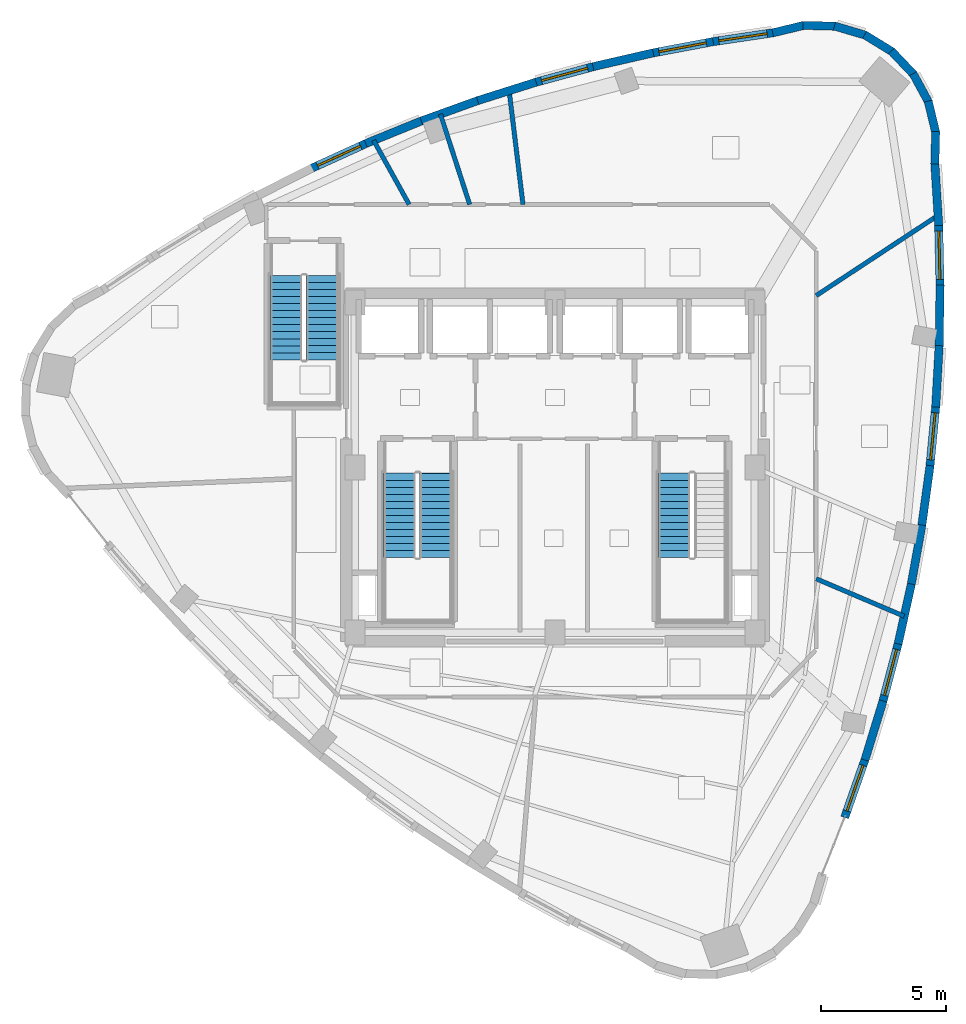
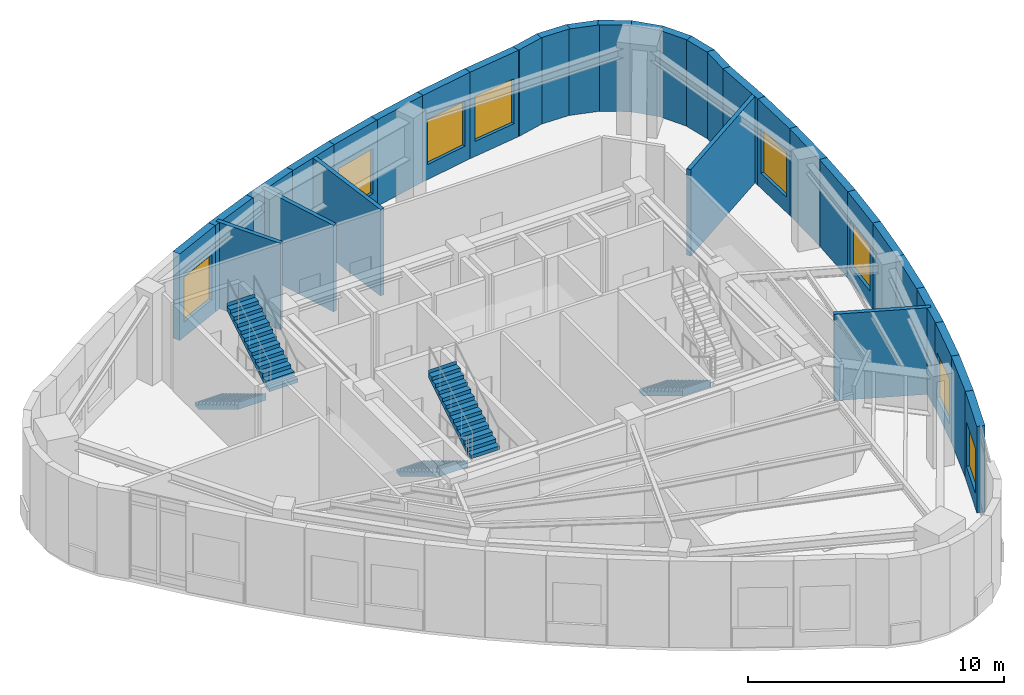
# One storey, part 10 of 14: 32 walls, 8 windows, 5 stair flights, 8 openings, 3 elements without a shape of their own.
"""IFC4 building model written with IfcOpenShell, lengths in metres."""

from ifc_helpers import new_model, si_unit, direction, frame, frame_2d, origin, place, context, subcontext, project, spatial, polyline, rectangle, outline, extrude, material, layer, layer_set, type_object, element, fill, aggregate, save


model = new_model("IFC4")

# Units and contexts
model_context = context("Model", 3, precision=1e-05, world=origin(), true_north=direction((0.0, 1.0)))
body_context = subcontext(model_context, "Body", "Model", "MODEL_VIEW")
ifc_project = project(units=[si_unit("LENGTHUNIT", "METRE"), si_unit("AREAUNIT", "SQUARE_METRE"), si_unit("VOLUMEUNIT", "CUBIC_METRE"), si_unit("PLANEANGLEUNIT", "RADIAN"), si_unit("MASSUNIT", "GRAM", prefix="KILO")], contexts=[model_context])

# Site, building, storey
site_placement = place(None, origin())
site = spatial("IfcSite", under=ifc_project, at=site_placement, CompositionType="ELEMENT")
building_placement = place(site_placement, origin())
building = spatial("IfcBuilding", under=site, at=building_placement, Name="Ndelora Gate Hotel", CompositionType="ELEMENT")
storey_placement = place(building_placement, frame((0.0, 0.0, 281.60009765625)))
storey = spatial("IfcBuildingStorey", under=building, at=storey_placement, Name="L70", CompositionType="ELEMENT", Elevation=281.60009765625)

# Walls
ifc_material_1 = material(Name="Acoustic Double-Stud Gypsum Assembly", Category="gypsum")
ifc_layer_1 = layer(ifc_material_1, 0.179931640625)
ifc_layer_set_1 = layer_set([ifc_layer_1], Name="Acoustic Double-Stud Gypsum Assembly")
wall_type_1 = type_object("IfcWallType", Name="WL-ACOUST-180", PredefinedType="PARTITIONING", material=ifc_layer_set_1)
wall_1_placement = place(storey_placement, frame((-5.831298828125, 10.52001953125, 0.0), z_axis=(0.0, 0.0, 1.0), x_axis=(-0.484857723274, 0.874593041466, 0.0)))
element("IfcWall", 1, at=wall_1_placement, inside=storey, type_object=wall_type_1, Name="L70 Interior Wall IW-3", PredefinedType="PARTITIONING", context=body_context, shape_type="SweptSolid", body=[
    extrude(rectangle(XDim=2.93115234375, YDim=0.179931640625, at=frame_2d((1.465576171875, 0.0))), origin(), (0.0, 0.0, 1.0), 4.1298828125),
])
wall_2_placement = place(storey_placement, frame((10.449951171875, -4.45068359375, 0.0), z_axis=(0.0, 0.0, 1.0), x_axis=(0.920037186276, -0.391831055264, 0.0)))
element("IfcWall", 2, at=wall_2_placement, inside=storey, type_object=wall_type_1, Name="L70 Interior Wall IW-3", PredefinedType="PARTITIONING", context=body_context, shape_type="SweptSolid", body=[
    extrude(rectangle(XDim=3.82568359375, YDim=0.179931640625, at=frame_2d((1.912841796875, 0.0))), origin(), (0.0, 0.0, 1.0), 4.1298828125),
])
wall_3_placement = place(storey_placement, frame((10.449951171875, 6.87646484375, 0.0), z_axis=(0.0, 0.0, 1.0), x_axis=(0.835369557095, 0.549688732902, 0.0)))
element("IfcWall", 3, at=wall_3_placement, inside=storey, type_object=wall_type_1, Name="L70 Interior Wall IW-3", PredefinedType="PARTITIONING", context=body_context, shape_type="SweptSolid", body=[
    extrude(rectangle(XDim=5.835205078125, YDim=0.179931640625, at=frame_2d((2.91748046875, 0.0))), origin(), (0.0, 0.0, 1.0), 4.1298828125),
])
wall_4_placement = place(storey_placement, frame((-1.27880859375, 10.52001953125, 0.0), z_axis=(0.0, 0.0, 1.0), x_axis=(-0.120673142417, 0.992692295074, 0.0)))
element("IfcWall", 4, at=wall_4_placement, inside=storey, type_object=wall_type_1, Name="L70 Interior Wall IW-3", PredefinedType="PARTITIONING", context=body_context, shape_type="SweptSolid", body=[
    extrude(rectangle(XDim=4.58642578125, YDim=0.179931640625, at=frame_2d((2.293212890625, 0.0))), origin(), (0.0, 0.0, 1.0), 4.1298828125),
])
wall_5_placement = place(storey_placement, frame((-3.4111328125, 10.52001953125, 0.0), z_axis=(0.0, 0.0, 1.0), x_axis=(-0.30845287095, 0.951239626174, 0.0)))
element("IfcWall", 5, at=wall_5_placement, inside=storey, type_object=wall_type_1, Name="L70 Interior Wall IW-3", PredefinedType="PARTITIONING", context=body_context, shape_type="SweptSolid", body=[
    extrude(rectangle(XDim=3.801513671875, YDim=0.179931640625, at=frame_2d((1.90087890625, 0.0))), origin(), (0.0, 0.0, 1.0), 4.1298828125),
])

# Wall, opening, window
ifc_material_2 = material(Name="Clay Brick Masonry", Category="masonry")
ifc_layer_2 = layer(ifc_material_2, 0.330078125)
ifc_layer_set_2 = layer_set([ifc_layer_2], Name="Clay Brick Masonry")
wall_type_2 = type_object("IfcWallType", Name="WL-BRICK-330", PredefinedType="SOLIDWALL", material=ifc_layer_set_2)
wall_6_placement = place(storey_placement, frame((12.41259765625, -11.6513671875, 0.0), z_axis=(0.0, 0.0, 1.0), x_axis=(-0.331176640599, -0.94356877477, 0.0)))
wall_6 = element("IfcWall", 6, at=wall_6_placement, inside=storey, type_object=wall_type_2, Name="L70 Tower Brick Pier-and-Spandrel Wall TWR-30", PredefinedType="SOLIDWALL", context=body_context, shape_type="SweptSolid", body=[
    extrude(rectangle(XDim=2.4873046875, YDim=0.330078125, at=frame_2d((1.24365234375, 0.0))), origin(), (0.0, 0.0, 1.0), 4.1298828125),
])
opening_1_placement = place(wall_6_placement, frame((0.278564453125, 0.0, 0.719970703125)))
opening_1 = element("IfcOpeningElement", 7, at=opening_1_placement, cuts=wall_6, Name="Opening W05", PredefinedType="OPENING", context=body_context, shape_type="SweptSolid", body=[
    extrude(rectangle(XDim=1.929931640625, YDim=2.14990234375, at=frame_2d((0.96484375, 1.074951171875))), frame((0.0, 0.175048828125, 0.0), z_axis=(0.0, -1.0, 0.0), x_axis=(1.0, 0.0, 0.0)), (0.0, 0.0, 1.0), 0.35009765625),
])
ifc_material_3 = material(Name="Insulated Low-E Double Glazing in Bronze Aluminium Frame", Category="aluminium")
window_type = type_object("IfcWindowType", Name="WN-SKY-2000", PartitioningType="SINGLE_PANEL", PredefinedType="WINDOW", material=ifc_material_3)
window_1_placement = place(opening_1_placement, origin())
window_1 = element("IfcWindow", 8, at=window_1_placement, inside=storey, type_object=window_type, Name="L70 Deep-Set Brick-Pier Window W05", OverallHeight=2.14990234375, OverallWidth=1.929931640625, PartitioningType="SINGLE_PANEL", PredefinedType="WINDOW", context=body_context, shape_type="SweptSolid", body=[
    extrude(rectangle(XDim=1.929931640625, YDim=2.14990234375, at=frame_2d((0.96484375, 1.074951171875))), frame((0.0, 0.030029296875, 0.0), z_axis=(0.0, -1.0, 0.0), x_axis=(1.0, 0.0, 0.0)), (0.0, 0.0, 1.0), 0.06005859375),
])
fill(opening_1, window_1)

# Wall
wall_7_placement = place(storey_placement, frame((13.122802734375, -9.336181640625, 0.0), z_axis=(0.0, 0.0, 1.0), x_axis=(-0.293558293962, -0.955941173946, 0.0)))
element("IfcWall", 9, at=wall_7_placement, inside=storey, type_object=wall_type_2, Name="L70 Tower Brick Pier-and-Spandrel Wall TWR-31", PredefinedType="SOLIDWALL", context=body_context, shape_type="SweptSolid", body=[
    extrude(rectangle(XDim=2.4716796875, YDim=0.330078125, at=frame_2d((1.23583984375, 0.0))), origin(), (0.0, 0.0, 1.0), 4.1298828125),
])

# Wall, opening, window
wall_8_placement = place(storey_placement, frame((13.737060546875, -7.005615234375, 0.0), z_axis=(0.0, 0.0, 1.0), x_axis=(-0.255240594745, -0.966877571771, 0.0)))
wall_8 = element("IfcWall", 10, at=wall_8_placement, inside=storey, type_object=wall_type_2, Name="L70 Tower Brick Pier-and-Spandrel Wall TWR-32", PredefinedType="SOLIDWALL", context=body_context, shape_type="SweptSolid", body=[
    extrude(rectangle(XDim=2.460205078125, YDim=0.330078125, at=frame_2d((1.22998046875, 0.0))), origin(), (0.0, 0.0, 1.0), 4.1298828125),
])
opening_2_placement = place(wall_8_placement, frame((0.280029296875, 0.0, 0.719970703125)))
opening_2 = element("IfcOpeningElement", 11, at=opening_2_placement, cuts=wall_8, Name="Opening W05", PredefinedType="OPENING", context=body_context, shape_type="SweptSolid", body=[
    extrude(rectangle(XDim=1.89990234375, YDim=2.14990234375, at=frame_2d((0.949951171875, 1.074951171875))), frame((0.0, 0.175048828125, 0.0), z_axis=(0.0, -1.0, 0.0), x_axis=(1.0, 0.0, 0.0)), (0.0, 0.0, 1.0), 0.35009765625),
])
window_2_placement = place(opening_2_placement, origin())
window_2 = element("IfcWindow", 12, at=window_2_placement, inside=storey, type_object=window_type, Name="L70 Deep-Set Brick-Pier Window W05", OverallHeight=2.14990234375, OverallWidth=1.89990234375, PartitioningType="SINGLE_PANEL", PredefinedType="WINDOW", context=body_context, shape_type="SweptSolid", body=[
    extrude(rectangle(XDim=1.89990234375, YDim=2.14990234375, at=frame_2d((0.949951171875, 1.074951171875))), frame((0.0, 0.030029296875, 0.0), z_axis=(0.0, -1.0, 0.0), x_axis=(1.0, 0.0, 0.0)), (0.0, 0.0, 1.0), 0.06005859375),
])
fill(opening_2, window_2)

# Walls
wall_9_placement = place(storey_placement, frame((14.25537109375, -4.66015625, 0.0), z_axis=(0.0, 0.0, 1.0), x_axis=(-0.216160793087, -0.976357778446, 0.0)))
element("IfcWall", 13, at=wall_9_placement, inside=storey, type_object=wall_type_2, Name="L70 Tower Brick Pier-and-Spandrel Wall TWR-33", PredefinedType="SOLIDWALL", context=body_context, shape_type="SweptSolid", body=[
    extrude(rectangle(XDim=2.451904296875, YDim=0.330078125, at=frame_2d((1.22607421875, 0.0))), origin(), (0.0, 0.0, 1.0), 4.1298828125),
])
wall_10_placement = place(storey_placement, frame((14.677490234375, -2.29931640625, 0.0), z_axis=(0.0, 0.0, 1.0), x_axis=(-0.176418802695, -0.984315196497, 0.0)))
element("IfcWall", 14, at=wall_10_placement, inside=storey, type_object=wall_type_2, Name="L70 Tower Brick Pier-and-Spandrel Wall TWR-34", PredefinedType="SOLIDWALL", context=body_context, shape_type="SweptSolid", body=[
    extrude(rectangle(XDim=2.447998046875, YDim=0.330078125, at=frame_2d((1.22412109375, 0.0))), origin(), (0.0, 0.0, 1.0), 4.1298828125),
])
wall_11_placement = place(storey_placement, frame((15.00341796875, 0.07666015625, 0.0), z_axis=(0.0, 0.0, 1.0), x_axis=(-0.136310087879, -0.990666220249, 0.0)))
element("IfcWall", 15, at=wall_11_placement, inside=storey, type_object=wall_type_2, Name="L70 Tower Brick Pier-and-Spandrel Wall TWR-35", PredefinedType="SOLIDWALL", context=body_context, shape_type="SweptSolid", body=[
    extrude(rectangle(XDim=2.448486328125, YDim=0.330078125, at=frame_2d((1.22412109375, 0.0))), origin(), (0.0, 0.0, 1.0), 4.1298828125),
])

# Wall, opening, window
wall_12_placement = place(storey_placement, frame((15.2333984375, 2.4677734375, 0.0), z_axis=(0.0, 0.0, 1.0), x_axis=(-0.096171472172, -0.995364781344, 0.0)))
wall_12 = element("IfcWall", 16, at=wall_12_placement, inside=storey, type_object=wall_type_2, Name="L70 Tower Brick Pier-and-Spandrel Wall TWR-36", PredefinedType="SOLIDWALL", context=body_context, shape_type="SweptSolid", body=[
    extrude(rectangle(XDim=2.452392578125, YDim=0.330078125, at=frame_2d((1.22607421875, 0.0))), origin(), (0.0, 0.0, 1.0), 4.1298828125),
])
opening_3_placement = place(wall_12_placement, frame((0.281005859375, 0.0, 0.719970703125)))
opening_3 = element("IfcOpeningElement", 17, at=opening_3_placement, cuts=wall_12, Name="Opening W05", PredefinedType="OPENING", context=body_context, shape_type="SweptSolid", body=[
    extrude(rectangle(XDim=1.889892578125, YDim=2.14990234375, at=frame_2d((0.94482421875, 1.074951171875))), frame((0.0, 0.175048828125, 0.0), z_axis=(0.0, -1.0, 0.0), x_axis=(1.0, 0.0, 0.0)), (0.0, 0.0, 1.0), 0.35009765625),
])
window_3_placement = place(opening_3_placement, origin())
window_3 = element("IfcWindow", 18, at=window_3_placement, inside=storey, type_object=window_type, Name="L70 Deep-Set Brick-Pier Window W05", OverallHeight=2.14990234375, OverallWidth=1.889892578125, PartitioningType="SINGLE_PANEL", PredefinedType="WINDOW", context=body_context, shape_type="SweptSolid", body=[
    extrude(rectangle(XDim=1.889892578125, YDim=2.14990234375, at=frame_2d((0.94482421875, 1.074951171875))), frame((0.0, 0.030029296875, 0.0), z_axis=(0.0, -1.0, 0.0), x_axis=(1.0, 0.0, 0.0)), (0.0, 0.0, 1.0), 0.06005859375),
])
fill(opening_3, window_3)

# Walls
wall_13_placement = place(storey_placement, frame((15.367431640625, 4.8740234375, 0.0), z_axis=(0.0, 0.0, 1.0), x_axis=(-0.055970171644, -0.998432441323, 0.0)))
element("IfcWall", 19, at=wall_13_placement, inside=storey, type_object=wall_type_2, Name="L70 Tower Brick Pier-and-Spandrel Wall TWR-37", PredefinedType="SOLIDWALL", context=body_context, shape_type="SweptSolid", body=[
    extrude(rectangle(XDim=2.460205078125, YDim=0.330078125, at=frame_2d((1.22998046875, 0.0))), origin(), (0.0, 0.0, 1.0), 4.1298828125),
])
wall_14_placement = place(storey_placement, frame((15.405517578125, 7.29541015625, 0.0), z_axis=(0.0, 0.0, 1.0), x_axis=(-0.016099859072, -0.999870388869, 0.0)))
element("IfcWall", 20, at=wall_14_placement, inside=storey, type_object=wall_type_2, Name="L70 Tower Brick Pier-and-Spandrel Wall TWR-38", PredefinedType="SOLIDWALL", context=body_context, shape_type="SweptSolid", body=[
    extrude(rectangle(XDim=2.4716796875, YDim=0.330078125, at=frame_2d((1.23583984375, 0.0))), origin(), (0.0, 0.0, 1.0), 4.1298828125),
])

# Wall, opening, window
wall_15_placement = place(storey_placement, frame((15.347412109375, 9.73193359375, 0.0), z_axis=(0.0, 0.0, 1.0), x_axis=(0.023459423149, -0.999724789862, 0.0)))
wall_15 = element("IfcWall", 21, at=wall_15_placement, inside=storey, type_object=wall_type_2, Name="L70 Tower Brick Pier-and-Spandrel Wall TWR-39", PredefinedType="SOLIDWALL", context=body_context, shape_type="SweptSolid", body=[
    extrude(rectangle(XDim=2.4873046875, YDim=0.330078125, at=frame_2d((1.24365234375, 0.0))), origin(), (0.0, 0.0, 1.0), 4.1298828125),
])
opening_4_placement = place(wall_15_placement, frame((0.278564453125, 0.0, 0.719970703125)))
opening_4 = element("IfcOpeningElement", 22, at=opening_4_placement, cuts=wall_15, Name="Opening W05", PredefinedType="OPENING", context=body_context, shape_type="SweptSolid", body=[
    extrude(rectangle(XDim=1.929931640625, YDim=2.14990234375, at=frame_2d((0.96484375, 1.074951171875))), frame((0.0, 0.175048828125, 0.0), z_axis=(0.0, -1.0, 0.0), x_axis=(1.0, 0.0, 0.0)), (0.0, 0.0, 1.0), 0.35009765625),
])
window_4_placement = place(opening_4_placement, origin())
window_4 = element("IfcWindow", 23, at=window_4_placement, inside=storey, type_object=window_type, Name="L70 Deep-Set Brick-Pier Window W05", OverallHeight=2.14990234375, OverallWidth=1.929931640625, PartitioningType="SINGLE_PANEL", PredefinedType="WINDOW", context=body_context, shape_type="SweptSolid", body=[
    extrude(rectangle(XDim=1.929931640625, YDim=2.14990234375, at=frame_2d((0.96484375, 1.074951171875))), frame((0.0, 0.030029296875, 0.0), z_axis=(0.0, -1.0, 0.0), x_axis=(1.0, 0.0, 0.0)), (0.0, 0.0, 1.0), 0.06005859375),
])
fill(opening_4, window_4)

# Walls
wall_16_placement = place(storey_placement, frame((15.193359375, 12.183837890625, 0.0), z_axis=(0.0, 0.0, 1.0), x_axis=(0.062329780416, -0.998055608908, 0.0)))
element("IfcWall", 24, at=wall_16_placement, inside=storey, type_object=wall_type_2, Name="L70 Tower Brick Pier-and-Spandrel Wall TWR-40", PredefinedType="SOLIDWALL", context=body_context, shape_type="SweptSolid", body=[
    extrude(rectangle(XDim=2.5068359375, YDim=0.330078125, at=frame_2d((1.25341796875, 0.0))), origin(), (0.0, 0.0, 1.0), 4.1298828125),
])
wall_17_placement = place(storey_placement, frame((15.228515625, 13.4365234375, 0.0), z_axis=(0.0, 0.0, 1.0), x_axis=(-0.026227855826, -0.999655990618, 0.0)))
element("IfcWall", 25, at=wall_17_placement, inside=storey, type_object=wall_type_2, Name="L70 Tower Brick Pier-and-Spandrel Wall TWR-41", PredefinedType="SOLIDWALL", context=body_context, shape_type="SweptSolid", body=[
    extrude(rectangle(XDim=1.30322265625, YDim=0.330078125, at=frame_2d((0.651611328125, 0.0))), origin(), (0.0, 0.0, 1.0), 4.1298828125),
])
wall_18_placement = place(storey_placement, frame((14.929443359375, 14.654296875, 0.0), z_axis=(0.0, 0.0, 1.0), x_axis=(0.233443812137, -0.972370292931, 0.0)))
element("IfcWall", 26, at=wall_18_placement, inside=storey, type_object=wall_type_2, Name="L70 Tower Brick Pier-and-Spandrel Wall TWR-42", PredefinedType="SOLIDWALL", context=body_context, shape_type="SweptSolid", body=[
    extrude(rectangle(XDim=1.302978515625, YDim=0.330078125, at=frame_2d((0.6513671875, 0.0))), origin(), (0.0, 0.0, 1.0), 4.1298828125),
])
for number, where, z_axis, x_axis, name in (
    (27, (14.325439453125, 15.753173828125, 0.0), (0.0, 0.0, 1.0), (0.477158009766, -0.878817520146, 0.0), "L70 Tower Brick Pier-and-Spandrel Wall TWR-43"),
    (28, (13.45751953125, 16.658203125, 0.0), (0.0, 0.0, 1.0), (0.688316050819, -0.725410927809, 0.0), "L70 Tower Brick Pier-and-Spandrel Wall TWR-44"),
    (29, (12.385009765625, 17.307861328125, 0.0), (0.0, 0.0, 1.0), (0.852628177474, -0.522518125022, 0.0), "L70 Tower Brick Pier-and-Spandrel Wall TWR-45"),
    (30, (11.180908203125, 17.65771484375, 0.0), (0.0, 0.0, 1.0), (0.958820789243, -0.284011785169, 0.0), "L70 Tower Brick Pier-and-Spandrel Wall TWR-46"),
    (31, (9.92724609375, 17.68408203125, 0.0), (0.0, 0.0, 1.0), (0.999655990618, -0.026227855826, 0.0), "L70 Tower Brick Pier-and-Spandrel Wall TWR-47"),
):
    element("IfcWall", number, at=place(storey_placement, frame(where, z_axis=z_axis, x_axis=x_axis)), inside=storey, type_object=wall_type_2, Name=name, PredefinedType="SOLIDWALL", context=body_context, shape_type="SweptSolid", body=[
        extrude(rectangle(XDim=1.30322265625, YDim=0.330078125, at=frame_2d((0.651611328125, 0.0))), origin(), (0.0, 0.0, 1.0), 4.1298828125),
    ])
wall_19_placement = place(storey_placement, frame((8.709716796875, 17.385009765625, 0.0), z_axis=(0.0, 0.0, 1.0), x_axis=(0.972360080062, 0.233486347997, 0.0)))
element("IfcWall", 32, at=wall_19_placement, inside=storey, type_object=wall_type_2, Name="L70 Tower Brick Pier-and-Spandrel Wall TWR-48", PredefinedType="SOLIDWALL", context=body_context, shape_type="SweptSolid", body=[
    extrude(rectangle(XDim=1.302978515625, YDim=0.330078125, at=frame_2d((0.6513671875, 0.0))), origin(), (0.0, 0.0, 1.0), 4.1298828125),
])

# Wall, opening, window
wall_20_placement = place(storey_placement, frame((6.279296875, 17.027099609375, 0.0), z_axis=(0.0, 0.0, 1.0), x_axis=(0.989195615859, 0.146601615152, 0.0)))
wall_20 = element("IfcWall", 33, at=wall_20_placement, inside=storey, type_object=wall_type_2, Name="L70 Tower Brick Pier-and-Spandrel Wall TWR-49", PredefinedType="SOLIDWALL", context=body_context, shape_type="SweptSolid", body=[
    extrude(rectangle(XDim=2.50634765625, YDim=0.330078125, at=frame_2d((1.253173828125, 0.0))), origin(), (0.0, 0.0, 1.0), 4.1298828125),
])
opening_5_placement = place(wall_20_placement, frame((0.2783203125, 0.0, 0.719970703125)))
opening_5 = element("IfcOpeningElement", 34, at=opening_5_placement, cuts=wall_20, Name="Opening W05", PredefinedType="OPENING", context=body_context, shape_type="SweptSolid", body=[
    extrude(rectangle(XDim=1.949951171875, YDim=2.14990234375, at=frame_2d((0.97509765625, 1.074951171875))), frame((0.0, 0.175048828125, 0.0), z_axis=(0.0, -1.0, 0.0), x_axis=(1.0, 0.0, 0.0)), (0.0, 0.0, 1.0), 0.35009765625),
])
window_5_placement = place(opening_5_placement, origin())
window_5 = element("IfcWindow", 35, at=window_5_placement, inside=storey, type_object=window_type, Name="L70 Deep-Set Brick-Pier Window W05", OverallHeight=2.14990234375, OverallWidth=1.949951171875, PartitioningType="SINGLE_PANEL", PredefinedType="WINDOW", context=body_context, shape_type="SweptSolid", body=[
    extrude(rectangle(XDim=1.949951171875, YDim=2.14990234375, at=frame_2d((0.97509765625, 1.074951171875))), frame((0.0, 0.030029296875, 0.0), z_axis=(0.0, -1.0, 0.0), x_axis=(1.0, 0.0, 0.0)), (0.0, 0.0, 1.0), 0.06005859375),
])
fill(opening_5, window_5)

wall_21_placement = place(storey_placement, frame((3.884033203125, 16.575439453125, 0.0), z_axis=(0.0, 0.0, 1.0), x_axis=(0.982755323562, 0.184910719024, 0.0)))
wall_21 = element("IfcWall", 36, at=wall_21_placement, inside=storey, type_object=wall_type_2, Name="L70 Tower Brick Pier-and-Spandrel Wall TWR-50", PredefinedType="SOLIDWALL", context=body_context, shape_type="SweptSolid", body=[
    extrude(rectangle(XDim=2.487548828125, YDim=0.330078125, at=frame_2d((1.24365234375, 0.0))), origin(), (0.0, 0.0, 1.0), 4.1298828125),
])
opening_6_placement = place(wall_21_placement, frame((0.27880859375, 0.0, 0.719970703125)))
opening_6 = element("IfcOpeningElement", 37, at=opening_6_placement, cuts=wall_21, Name="Opening W05", PredefinedType="OPENING", context=body_context, shape_type="SweptSolid", body=[
    extrude(rectangle(XDim=1.929931640625, YDim=2.14990234375, at=frame_2d((0.96484375, 1.074951171875))), frame((0.0, 0.175048828125, 0.0), z_axis=(0.0, -1.0, 0.0), x_axis=(1.0, 0.0, 0.0)), (0.0, 0.0, 1.0), 0.35009765625),
])
window_6_placement = place(opening_6_placement, origin())
window_6 = element("IfcWindow", 38, at=window_6_placement, inside=storey, type_object=window_type, Name="L70 Deep-Set Brick-Pier Window W05", OverallHeight=2.14990234375, OverallWidth=1.929931640625, PartitioningType="SINGLE_PANEL", PredefinedType="WINDOW", context=body_context, shape_type="SweptSolid", body=[
    extrude(rectangle(XDim=1.929931640625, YDim=2.14990234375, at=frame_2d((0.96484375, 1.074951171875))), frame((0.0, 0.030029296875, 0.0), z_axis=(0.0, -1.0, 0.0), x_axis=(1.0, 0.0, 0.0)), (0.0, 0.0, 1.0), 0.06005859375),
])
fill(opening_6, window_6)

# Wall
wall_22_placement = place(storey_placement, frame((1.523681640625, 16.032958984375, 0.0), z_axis=(0.0, 0.0, 1.0), x_axis=(0.974681670362, 0.223597051545, 0.0)))
element("IfcWall", 39, at=wall_22_placement, inside=storey, type_object=wall_type_2, Name="L70 Tower Brick Pier-and-Spandrel Wall TWR-51", PredefinedType="SOLIDWALL", context=body_context, shape_type="SweptSolid", body=[
    extrude(rectangle(XDim=2.471923828125, YDim=0.330078125, at=frame_2d((1.23583984375, 0.0))), origin(), (0.0, 0.0, 1.0), 4.1298828125),
])

# Wall, opening, window
wall_23_placement = place(storey_placement, frame((-0.801513671875, 15.3994140625, 0.0), z_axis=(0.0, 0.0, 1.0), x_axis=(0.964933096461, 0.262495941596, 0.0)))
wall_23 = element("IfcWall", 40, at=wall_23_placement, inside=storey, type_object=wall_type_2, Name="L70 Tower Brick Pier-and-Spandrel Wall TWR-52", PredefinedType="SOLIDWALL", context=body_context, shape_type="SweptSolid", body=[
    extrude(rectangle(XDim=2.4599609375, YDim=0.330078125, at=frame_2d((1.22998046875, 0.0))), origin(), (0.0, 0.0, 1.0), 4.1298828125),
])
opening_7_placement = place(wall_23_placement, frame((0.280029296875, 0.0, 0.719970703125)))
opening_7 = element("IfcOpeningElement", 41, at=opening_7_placement, cuts=wall_23, Name="Opening W05", PredefinedType="OPENING", context=body_context, shape_type="SweptSolid", body=[
    extrude(rectangle(XDim=1.89990234375, YDim=2.14990234375, at=frame_2d((0.949951171875, 1.074951171875))), frame((0.0, 0.175048828125, 0.0), z_axis=(0.0, -1.0, 0.0), x_axis=(1.0, 0.0, 0.0)), (0.0, 0.0, 1.0), 0.35009765625),
])
window_7_placement = place(opening_7_placement, origin())
window_7 = element("IfcWindow", 42, at=window_7_placement, inside=storey, type_object=window_type, Name="L70 Deep-Set Brick-Pier Window W05", OverallHeight=2.14990234375, OverallWidth=1.89990234375, PartitioningType="SINGLE_PANEL", PredefinedType="WINDOW", context=body_context, shape_type="SweptSolid", body=[
    extrude(rectangle(XDim=1.89990234375, YDim=2.14990234375, at=frame_2d((0.949951171875, 1.074951171875))), frame((0.0, 0.030029296875, 0.0), z_axis=(0.0, -1.0, 0.0), x_axis=(1.0, 0.0, 0.0)), (0.0, 0.0, 1.0), 0.06005859375),
])
fill(opening_7, window_7)

# Walls
wall_24_placement = place(storey_placement, frame((-3.091796875, 14.675537109375, 0.0), z_axis=(0.0, 0.0, 1.0), x_axis=(0.953629301066, 0.300983647643, 0.0)))
element("IfcWall", 43, at=wall_24_placement, inside=storey, type_object=wall_type_2, Name="L70 Tower Brick Pier-and-Spandrel Wall TWR-53", PredefinedType="SOLIDWALL", context=body_context, shape_type="SweptSolid", body=[
    extrude(rectangle(XDim=2.4521484375, YDim=0.330078125, at=frame_2d((1.22607421875, 0.0))), origin(), (0.0, 0.0, 1.0), 4.1298828125),
])
for number, where, z_axis, x_axis, name in (
    (44, (-5.347412109375, 13.860595703125, 0.0), (0.0, 0.0, 1.0), (0.940660924574, 0.33934794088, 0.0), "L70 Tower Brick Pier-and-Spandrel Wall TWR-54"),
    (45, (-7.568115234375, 12.955078125, 0.0), (0.0, 0.0, 1.0), (0.926147843888, 0.377160670355, 0.0), "L70 Tower Brick Pier-and-Spandrel Wall TWR-55"),
):
    element("IfcWall", number, at=place(storey_placement, frame(where, z_axis=z_axis, x_axis=x_axis)), inside=storey, type_object=wall_type_2, Name=name, PredefinedType="SOLIDWALL", context=body_context, shape_type="SweptSolid", body=[
        extrude(rectangle(XDim=2.4482421875, YDim=0.330078125, at=frame_2d((1.22412109375, 0.0))), origin(), (0.0, 0.0, 1.0), 4.1298828125),
    ])

# Wall, opening, window
wall_25_placement = place(storey_placement, frame((-9.75390625, 11.958740234375, 0.0), z_axis=(0.0, 0.0, 1.0), x_axis=(0.910103748432, 0.414380461763, 0.0)))
wall_25 = element("IfcWall", 46, at=wall_25_placement, inside=storey, type_object=wall_type_2, Name="L70 Tower Brick Pier-and-Spandrel Wall TWR-56", PredefinedType="SOLIDWALL", context=body_context, shape_type="SweptSolid", body=[
    extrude(rectangle(XDim=2.4521484375, YDim=0.330078125, at=frame_2d((1.22607421875, 0.0))), origin(), (0.0, 0.0, 1.0), 4.1298828125),
])
opening_8_placement = place(wall_25_placement, frame((0.281005859375, 0.0, 0.719970703125)))
opening_8 = element("IfcOpeningElement", 47, at=opening_8_placement, cuts=wall_25, Name="Opening W05", PredefinedType="OPENING", context=body_context, shape_type="SweptSolid", body=[
    extrude(rectangle(XDim=1.889892578125, YDim=2.14990234375, at=frame_2d((0.94482421875, 1.074951171875))), frame((0.0, 0.175048828125, 0.0), z_axis=(0.0, -1.0, 0.0), x_axis=(1.0, 0.0, 0.0)), (0.0, 0.0, 1.0), 0.35009765625),
])
window_8_placement = place(opening_8_placement, origin())
window_8 = element("IfcWindow", 48, at=window_8_placement, inside=storey, type_object=window_type, Name="L70 Deep-Set Brick-Pier Window W05", OverallHeight=2.14990234375, OverallWidth=1.889892578125, PartitioningType="SINGLE_PANEL", PredefinedType="WINDOW", context=body_context, shape_type="SweptSolid", body=[
    extrude(rectangle(XDim=1.889892578125, YDim=2.14990234375, at=frame_2d((0.94482421875, 1.074951171875))), frame((0.0, 0.030029296875, 0.0), z_axis=(0.0, -1.0, 0.0), x_axis=(1.0, 0.0, 0.0)), (0.0, 0.0, 1.0), 0.06005859375),
])
fill(opening_8, window_8)

# Stair, stair flights
ifc_material_4 = material(Name="Precast concrete C40/50", Category="concrete")
stair_type = type_object("IfcStairType", Name="STR-DOG-CORE", PredefinedType="HALF_TURN_STAIR", material=ifc_material_4)
stair_1_placement = place(storey_placement, origin())
stair_1 = element("IfcStair", 49, at=stair_1_placement, inside=storey, type_object=stair_type, Name="L70 Protected Core Exit Stair ST4", PredefinedType="HALF_TURN_STAIR")
stair_flight_type = type_object("IfcStairFlightType", Name="STF-PRECAST", PredefinedType="STRAIGHT", material=ifc_material_4)
stair_flight_1_placement = place(storey_placement, frame((-6.2099609375, -0.22998046875, 0.0), z_axis=(0.0, 0.0, 1.0), x_axis=(0.0, -1.0, 0.0)))
stair_flight_1 = element("IfcStairFlight", 50, at=stair_flight_1_placement, type_object=stair_flight_type, Name="ST4 flight 1", NumberOfRisers=13, NumberOfTreads=12, PredefinedType="STRAIGHT", RiserHeight=0.169230769, TreadLength=0.28, context=body_context, shape_type="SweptSolid", body=[
    extrude(outline(polyline([(-0.00048828125, 0.0), (-0.00048828125, 0.169189453125), (0.0, 0.169189453125), (0.280029296875, 0.169189453125), (0.280029296875, 0.33837890625), (0.56005859375, 0.33837890625), (0.56005859375, 0.5078125), (0.840087890625, 0.5078125), (0.840087890625, 0.677001953125), (1.1201171875, 0.677001953125), (1.1201171875, 0.84619140625), (1.39990234375, 0.84619140625), (1.39990234375, 1.015380859375), (1.679931640625, 1.015380859375), (1.679931640625, 1.1845703125), (1.9599609375, 1.1845703125), (1.9599609375, 1.353759765625), (2.239990234375, 1.353759765625), (2.239990234375, 1.523193359375), (2.52001953125, 1.523193359375), (2.52001953125, 1.6923828125), (2.800048828125, 1.6923828125), (2.800048828125, 1.861572265625), (3.080078125, 1.861572265625), (3.080078125, 2.03076171875), (3.360107421875, 2.03076171875), (3.360107421875, 2.199951171875), (3.360595703125, 2.199951171875), (3.360595703125, 2.02001953125), (3.360107421875, 1.855712890625), (0.289794921875, 0.0), (-0.00048828125, 0.0)])), frame((0.0, 0.64013671875, 0.0), z_axis=(0.0, -1.0, 0.0), x_axis=(1.0, 0.0, 0.0)), (0.0, 0.0, 1.0), 1.280029296875),
])
stair_flight_2_placement = place(storey_placement, frame((-4.77001953125, -3.590087890625, 2.199951171875), z_axis=(0.0, 0.0, 1.0), x_axis=(0.0, 1.0, 0.0)))
stair_flight_2 = element("IfcStairFlight", 51, at=stair_flight_2_placement, type_object=stair_flight_type, Name="ST4 flight 2", NumberOfRisers=13, NumberOfTreads=12, PredefinedType="STRAIGHT", RiserHeight=0.169230769, TreadLength=0.28, context=body_context, shape_type="SweptSolid", body=[
    extrude(outline(polyline([(-0.00048828125, 0.0), (-0.00048828125, 0.169189453125), (0.0, 0.169189453125), (0.280029296875, 0.169189453125), (0.280029296875, 0.33837890625), (0.56005859375, 0.33837890625), (0.56005859375, 0.5078125), (0.840087890625, 0.5078125), (0.840087890625, 0.677001953125), (1.1201171875, 0.677001953125), (1.1201171875, 0.84619140625), (1.39990234375, 0.84619140625), (1.39990234375, 1.015380859375), (1.679931640625, 1.015380859375), (1.679931640625, 1.1845703125), (1.9599609375, 1.1845703125), (1.9599609375, 1.353759765625), (2.239990234375, 1.353759765625), (2.239990234375, 1.523193359375), (2.52001953125, 1.523193359375), (2.52001953125, 1.6923828125), (2.800048828125, 1.6923828125), (2.800048828125, 1.861572265625), (3.080078125, 1.861572265625), (3.080078125, 2.03076171875), (3.360107421875, 2.03076171875), (3.360107421875, 2.199951171875), (3.360595703125, 2.199951171875), (3.360595703125, 2.02001953125), (3.360107421875, 1.855712890625), (0.289794921875, 0.0), (-0.00048828125, 0.0)])), frame((0.0, 0.64013671875, 0.0), z_axis=(0.0, -1.0, 0.0), x_axis=(1.0, 0.0, 0.0)), (0.0, 0.0, 1.0), 1.280029296875),
])
aggregate(stair_1, [stair_flight_1, stair_flight_2])

# Stair, stair flight
stair_2_placement = place(storey_placement, origin())
stair_2 = element("IfcStair", 52, at=stair_2_placement, inside=storey, type_object=stair_type, Name="L70 Protected Core Exit Stair ST5", PredefinedType="HALF_TURN_STAIR")
stair_flight_3_placement = place(storey_placement, frame((4.77001953125, -0.22998046875, 0.0), z_axis=(0.0, 0.0, 1.0), x_axis=(0.0, -1.0, 0.0)))
stair_flight_3 = element("IfcStairFlight", 53, at=stair_flight_3_placement, type_object=stair_flight_type, Name="ST5 flight 1", NumberOfRisers=13, NumberOfTreads=12, PredefinedType="STRAIGHT", RiserHeight=0.169230769, TreadLength=0.28, context=body_context, shape_type="SweptSolid", body=[
    extrude(outline(polyline([(-0.00048828125, 0.0), (-0.00048828125, 0.169189453125), (0.0, 0.169189453125), (0.280029296875, 0.169189453125), (0.280029296875, 0.33837890625), (0.56005859375, 0.33837890625), (0.56005859375, 0.5078125), (0.840087890625, 0.5078125), (0.840087890625, 0.677001953125), (1.1201171875, 0.677001953125), (1.1201171875, 0.84619140625), (1.39990234375, 0.84619140625), (1.39990234375, 1.015380859375), (1.679931640625, 1.015380859375), (1.679931640625, 1.1845703125), (1.9599609375, 1.1845703125), (1.9599609375, 1.353759765625), (2.239990234375, 1.353759765625), (2.239990234375, 1.523193359375), (2.52001953125, 1.523193359375), (2.52001953125, 1.6923828125), (2.800048828125, 1.6923828125), (2.800048828125, 1.861572265625), (3.080078125, 1.861572265625), (3.080078125, 2.03076171875), (3.360107421875, 2.03076171875), (3.360107421875, 2.199951171875), (3.360595703125, 2.199951171875), (3.360595703125, 2.02001953125), (3.360107421875, 1.855712890625), (0.289794921875, 0.0), (-0.00048828125, 0.0)])), frame((0.0, 0.64013671875, 0.0), z_axis=(0.0, -1.0, 0.0), x_axis=(1.0, 0.0, 0.0)), (0.0, 0.0, 1.0), 1.280029296875),
])
aggregate(stair_2, [stair_flight_3])

# Stair, stair flights
stair_3_placement = place(storey_placement, origin())
stair_3 = element("IfcStair", 54, at=stair_3_placement, inside=storey, type_object=stair_type, Name="L70 Crown Observation Exit Stair ST6", PredefinedType="HALF_TURN_STAIR")
stair_flight_4_placement = place(storey_placement, frame((-10.75, 7.669921875, 0.0), z_axis=(0.0, 0.0, 1.0), x_axis=(0.0, -1.0, 0.0)))
stair_flight_4 = element("IfcStairFlight", 55, at=stair_flight_4_placement, type_object=stair_flight_type, Name="ST6 flight 1", NumberOfRisers=13, NumberOfTreads=12, PredefinedType="STRAIGHT", RiserHeight=0.169230769, TreadLength=0.28, context=body_context, shape_type="SweptSolid", body=[
    extrude(outline(polyline([(-0.00048828125, 0.0), (-0.00048828125, 0.169189453125), (0.0, 0.169189453125), (0.280029296875, 0.169189453125), (0.280029296875, 0.33837890625), (0.56005859375, 0.33837890625), (0.56005859375, 0.5078125), (0.840087890625, 0.5078125), (0.840087890625, 0.677001953125), (1.1201171875, 0.677001953125), (1.1201171875, 0.84619140625), (1.39990234375, 0.84619140625), (1.39990234375, 1.015380859375), (1.679931640625, 1.015380859375), (1.679931640625, 1.1845703125), (1.9599609375, 1.1845703125), (1.9599609375, 1.353759765625), (2.239990234375, 1.353759765625), (2.239990234375, 1.523193359375), (2.52001953125, 1.523193359375), (2.52001953125, 1.6923828125), (2.800048828125, 1.6923828125), (2.800048828125, 1.861572265625), (3.080078125, 1.861572265625), (3.080078125, 2.03076171875), (3.360107421875, 2.03076171875), (3.360107421875, 2.199951171875), (3.360595703125, 2.199951171875), (3.360595703125, 2.02001953125), (3.360107421875, 1.855712890625), (0.289794921875, 0.0), (-0.00048828125, 0.0)])), frame((0.0, 0.64013671875, 0.0), z_axis=(0.0, -1.0, 0.0), x_axis=(1.0, 0.0, 0.0)), (0.0, 0.0, 1.0), 1.280029296875),
])
stair_flight_5_placement = place(storey_placement, frame((-9.31005859375, 4.31005859375, 2.199951171875), z_axis=(0.0, 0.0, 1.0), x_axis=(0.0, 1.0, 0.0)))
stair_flight_5 = element("IfcStairFlight", 56, at=stair_flight_5_placement, type_object=stair_flight_type, Name="ST6 flight 2", NumberOfRisers=13, NumberOfTreads=12, PredefinedType="STRAIGHT", RiserHeight=0.169230769, TreadLength=0.28, context=body_context, shape_type="SweptSolid", body=[
    extrude(outline(polyline([(-0.00048828125, 0.0), (-0.00048828125, 0.169189453125), (0.0, 0.169189453125), (0.280029296875, 0.169189453125), (0.280029296875, 0.33837890625), (0.56005859375, 0.33837890625), (0.56005859375, 0.5078125), (0.840087890625, 0.5078125), (0.840087890625, 0.677001953125), (1.1201171875, 0.677001953125), (1.1201171875, 0.84619140625), (1.39990234375, 0.84619140625), (1.39990234375, 1.015380859375), (1.679931640625, 1.015380859375), (1.679931640625, 1.1845703125), (1.9599609375, 1.1845703125), (1.9599609375, 1.353759765625), (2.239990234375, 1.353759765625), (2.239990234375, 1.523193359375), (2.52001953125, 1.523193359375), (2.52001953125, 1.6923828125), (2.800048828125, 1.6923828125), (2.800048828125, 1.861572265625), (3.080078125, 1.861572265625), (3.080078125, 2.03076171875), (3.360107421875, 2.03076171875), (3.360107421875, 2.199951171875), (3.360595703125, 2.199951171875), (3.360595703125, 2.02001953125), (3.360107421875, 1.855712890625), (0.289794921875, 0.0), (-0.00048828125, 0.0)])), frame((0.0, 0.64013671875, 0.0), z_axis=(0.0, -1.0, 0.0), x_axis=(1.0, 0.0, 0.0)), (0.0, 0.0, 1.0), 1.280029296875),
])
aggregate(stair_3, [stair_flight_4, stair_flight_5])

save(model, "model.ifc")
